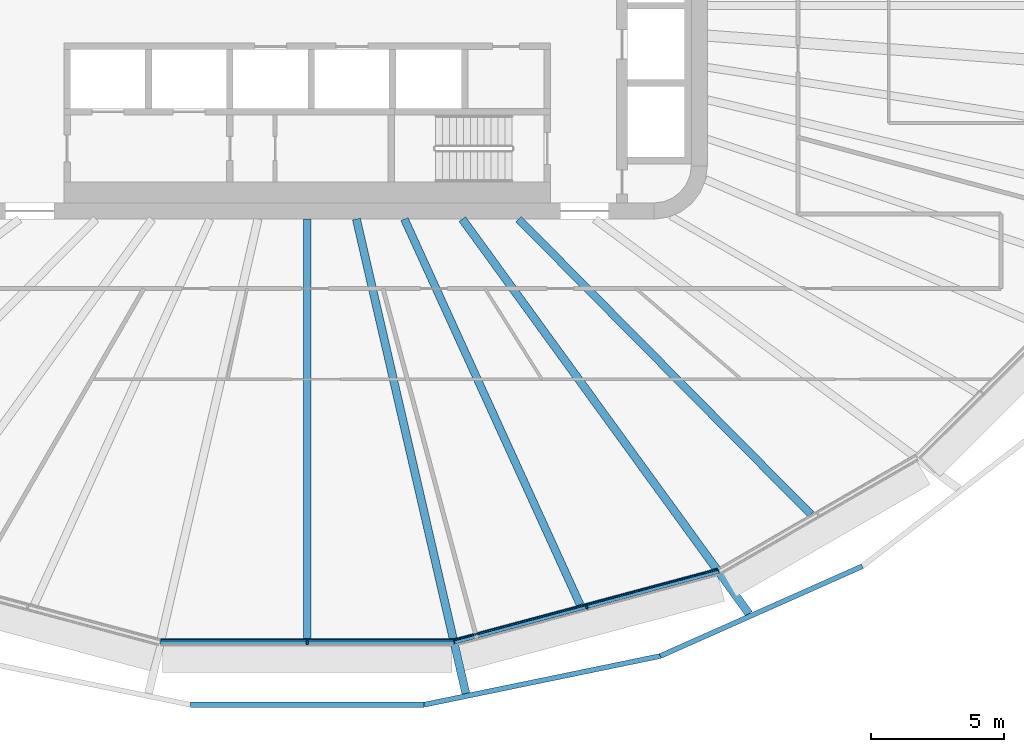
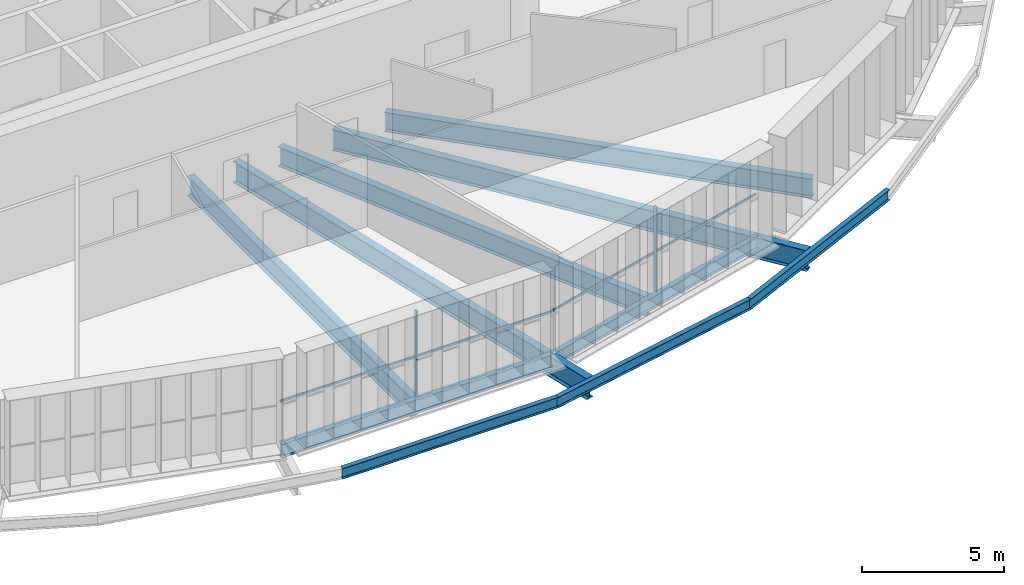
# One storey, part 4 of 25: 10 beams, 4 members, 2 elements without a shape of their own.
"""IFC4 building model written with IfcOpenShell, lengths in metres."""

from ifc_helpers import new_model, si_unit, direction, frame, origin, origin_2d, place, context, subcontext, project, spatial, rectangle, i_section, extrude, material, layer, layer_set, material_profile, profile_set, type_object, element, aggregate, save


model = new_model("IFC4")

# Units and contexts
model_context = context("Model", 3, precision=1e-05, world=origin(), true_north=direction((0.0, 1.0)))
body_context = subcontext(model_context, "Body", "Model", "MODEL_VIEW")
ifc_project = project(units=[si_unit("LENGTHUNIT", "METRE"), si_unit("AREAUNIT", "SQUARE_METRE"), si_unit("VOLUMEUNIT", "CUBIC_METRE"), si_unit("PLANEANGLEUNIT", "RADIAN"), si_unit("MASSUNIT", "GRAM", prefix="KILO")], contexts=[model_context])

# Site, building, storey
site_placement = place(None, origin())
site = spatial("IfcSite", under=ifc_project, at=site_placement, CompositionType="ELEMENT")
building_placement = place(site_placement, origin())
building = spatial("IfcBuilding", under=site, at=building_placement, Name="Sahrelin Media Tower", CompositionType="ELEMENT")
storey_placement = place(building_placement, frame((0.0, 0.0, 106.199951171875)))
storey = spatial("IfcBuildingStorey", under=building, at=storey_placement, Name="L20", CompositionType="ELEMENT", Elevation=106.199951171875)

# Beams
ifc_material_1 = material(Name="Steel S355", Category="steel")
ifc_material_profile_1 = material_profile(ifc_material_1, i_section(OverallWidth=0.208740234375, OverallDepth=0.5283203125, WebThickness=0.009521484375, FlangeThickness=0.01318359375, FilletRadius=0.0126953125, at=origin_2d()), Name="UB 533x210x82")
ifc_profile_set_1 = profile_set([ifc_material_profile_1], Name="Steel S355")
beam_type_1 = type_object("IfcBeamType", Name="Edge beam EB6", PredefinedType="BEAM", material=ifc_profile_set_1)
beam_1_placement = place(storey_placement, frame((15.41162109375, -21.17431640625, -0.4140625), z_axis=(-0.965929419345, -0.258805635261, 0.0), x_axis=(0.258805635261, -0.965929419345, 0.0)))
element("IfcBeam", 1, at=beam_1_placement, inside=storey, type_object=beam_type_1, Name="Edge beam L20-06", PredefinedType="BEAM", context=body_context, shape_type="SweptSolid", body=[
    extrude(i_section(OverallWidth=0.208740234375, OverallDepth=0.5283203125, WebThickness=0.009521484375, FlangeThickness=0.01318359375, FilletRadius=0.0126953125, at=origin_2d()), origin(), (0.0, 0.0, 1.0), 10.235107421875),
])
ifc_material_profile_2 = material_profile(ifc_material_1, i_section(OverallWidth=0.2275390625, OverallDepth=0.6025390625, WebThickness=0.010498046875, FlangeThickness=0.014892578125, FilletRadius=0.0126953125, at=origin_2d()), Name="UB 610x229x101")
ifc_profile_set_2 = profile_set([ifc_material_profile_2], Name="Steel S355")
beam_type_2 = type_object("IfcBeamType", Name="Edge beam EB7", PredefinedType="BEAM", material=ifc_profile_set_2)
beam_2_placement = place(storey_placement, frame((5.49658203125, -23.8271484375, -0.451171875), z_axis=(-1.0, 0.0, 0.0), x_axis=(0.0, -1.0, 0.0)))
element("IfcBeam", 2, at=beam_2_placement, inside=storey, type_object=beam_type_2, Name="Edge beam L20-07", PredefinedType="BEAM", context=body_context, shape_type="SweptSolid", body=[
    extrude(i_section(OverallWidth=0.2275390625, OverallDepth=0.6025390625, WebThickness=0.010498046875, FlangeThickness=0.014892578125, FilletRadius=0.0126953125, at=origin_2d()), origin(), (0.0, 0.0, 1.0), 10.9931640625),
])

# Curtain wall, member
ifc_material_2 = material(Name="Champagne anodised aluminium 6063-T6", Category="aluminium")
ifc_layer = layer(ifc_material_2, 0.14990234375)
ifc_layer_set = layer_set([ifc_layer], Name="Tower ribbon curtain wall")
curtain_wall_type = type_object("IfcCurtainWallType", Name="Tower ribbon curtain wall", PredefinedType="NOTDEFINED", material=ifc_layer_set)
curtain_wall_1_placement = place(storey_placement, frame((0.0, -23.97705078125, 0.0), z_axis=(0.0, 0.0, 1.0), x_axis=(1.0, 0.0, 0.0)))
curtain_wall_1 = element("IfcCurtainWall", 3, at=curtain_wall_1_placement, inside=storey, type_object=curtain_wall_type, Name="L20:CW:L20-18", PredefinedType="NOTDEFINED")
ifc_material_profile_3 = material_profile(ifc_material_2, rectangle(XDim=0.06005859375, YDim=0.14990234375, at=origin_2d()), Name="Mullion 60x150")
ifc_profile_set_3 = profile_set([ifc_material_profile_3], Name="Champagne anodised aluminium 6063-T6")
member_type_1 = type_object("IfcMemberType", Name="Mullion 60x150 CW1", PredefinedType="MULLION", material=ifc_profile_set_3)
member_1_placement = place(storey_placement, frame((0.0, -23.882080078125, 0.0), z_axis=(0.0, 0.0, 1.0), x_axis=(1.0, 0.0, 0.0)))
member_1 = element("IfcMember", 4, at=member_1_placement, type_object=member_type_1, Name="L20:CWM:L20-18", PredefinedType="MULLION", context=body_context, shape_type="SweptSolid", body=[
    extrude(rectangle(XDim=0.06005859375, YDim=0.14990234375, at=origin_2d()), origin(), (0.0, 0.0, 1.0), 3.648681640625),
])

curtain_wall_2_placement = place(storey_placement, frame((10.507080078125, -22.643798828125, 0.0), z_axis=(0.0, 0.0, 1.0), x_axis=(1.0, 0.0, 0.0)))
curtain_wall_2 = element("IfcCurtainWall", 5, at=curtain_wall_2_placement, inside=storey, type_object=curtain_wall_type, Name="L20:CW:L20-19", PredefinedType="NOTDEFINED")
member_2_placement = place(storey_placement, frame((10.482666015625, -22.552001953125, 0.0), z_axis=(0.0, 0.0, 1.0), x_axis=(0.965926278012, 0.258817359244, 0.0)))
member_2 = element("IfcMember", 6, at=member_2_placement, type_object=member_type_1, Name="L20:CWM:L20-19", PredefinedType="MULLION", context=body_context, shape_type="SweptSolid", body=[
    extrude(rectangle(XDim=0.06005859375, YDim=0.14990234375, at=origin_2d()), origin(), (0.0, 0.0, 1.0), 3.648681640625),
])

# Beams
ifc_material_profile_4 = material_profile(ifc_material_1, i_section(OverallWidth=0.30322265625, OverallDepth=0.903076171875, WebThickness=0.01513671875, FlangeThickness=0.020263671875, FilletRadius=0.01904296875, at=origin_2d()), Name="UB 914x305x201")
ifc_profile_set_4 = profile_set([ifc_material_profile_4], Name="Steel S355")
beam_type_3 = type_object("IfcBeamType", Name="Radial primary beam PB11", PredefinedType="BEAM", material=ifc_profile_set_4)
beam_3_placement = place(storey_placement, frame((1.845458984375, -8.0, -0.6015625), z_axis=(0.224770597267, -0.974411708984, 0.0), x_axis=(0.974411708984, 0.224770597267, 0.0)))
element("IfcBeam", 7, at=beam_3_placement, inside=storey, type_object=beam_type_3, Name="Radial beam L20-19", PredefinedType="BEAM", context=body_context, shape_type="SweptSolid", body=[
    extrude(i_section(OverallWidth=0.30322265625, OverallDepth=0.903076171875, WebThickness=0.01513671875, FlangeThickness=0.020263671875, FilletRadius=0.01904296875, at=origin_2d()), origin(), (0.0, 0.0, 1.0), 18.25),
])
beam_4_placement = place(storey_placement, frame((5.8125, -8.0, -0.6015625), z_axis=(0.587804906346, -0.809002714505, 0.0), x_axis=(0.809002714505, 0.587804906346, 0.0)))
element("IfcBeam", 8, at=beam_4_placement, inside=storey, type_object=beam_type_3, Name="Radial beam L20-20", PredefinedType="BEAM", context=body_context, shape_type="SweptSolid", body=[
    extrude(i_section(OverallWidth=0.30322265625, OverallDepth=0.903076171875, WebThickness=0.01513671875, FlangeThickness=0.020263671875, FilletRadius=0.01904296875, at=origin_2d()), origin(), (0.0, 0.0, 1.0), 18.28759765625),
])
ifc_material_profile_5 = material_profile(ifc_material_1, i_section(OverallWidth=0.291748046875, OverallDepth=0.8349609375, WebThickness=0.013916015625, FlangeThickness=0.018798828125, FilletRadius=0.017822265625, at=origin_2d()), Name="UB 838x292x176")
ifc_profile_set_5 = profile_set([ifc_material_profile_5], Name="Steel S355")
beam_type_4 = type_object("IfcBeamType", Name="Radial secondary beam SB10", PredefinedType="BEAM", material=ifc_profile_set_5)
beam_5_placement = place(storey_placement, frame((0.0, -8.0, -0.5673828125), z_axis=(0.0, -1.0, 0.0), x_axis=(1.0, 0.0, 0.0)))
element("IfcBeam", 9, at=beam_5_placement, inside=storey, type_object=beam_type_4, Name="Secondary beam L20-18", PredefinedType="BEAM", context=body_context, shape_type="SweptSolid", body=[
    extrude(i_section(OverallWidth=0.291748046875, OverallDepth=0.8349609375, WebThickness=0.013916015625, FlangeThickness=0.018798828125, FilletRadius=0.017822265625, at=origin_2d()), origin(), (0.0, 0.0, 1.0), 15.71337890625),
])
beam_6_placement = place(storey_placement, frame((3.64501953125, -8.0, -0.5673828125), z_axis=(0.414626132753, -0.909991851633, 0.0), x_axis=(0.909991851633, 0.414626132753, 0.0)))
element("IfcBeam", 10, at=beam_6_placement, inside=storey, type_object=beam_type_4, Name="Secondary beam L20-19", PredefinedType="BEAM", context=body_context, shape_type="SweptSolid", body=[
    extrude(i_section(OverallWidth=0.291748046875, OverallDepth=0.8349609375, WebThickness=0.013916015625, FlangeThickness=0.018798828125, FilletRadius=0.017822265625, at=origin_2d()), origin(), (0.0, 0.0, 1.0), 15.884033203125),
])
beam_7_placement = place(storey_placement, frame((7.92138671875, -8.0, -0.5673828125), z_axis=(0.703602310212, -0.7105939692, 0.0), x_axis=(0.7105939692, 0.703602310212, 0.0)))
element("IfcBeam", 11, at=beam_7_placement, inside=storey, type_object=beam_type_4, Name="Secondary beam L20-20", PredefinedType="BEAM", context=body_context, shape_type="SweptSolid", body=[
    extrude(i_section(OverallWidth=0.291748046875, OverallDepth=0.8349609375, WebThickness=0.013916015625, FlangeThickness=0.018798828125, FilletRadius=0.017822265625, at=origin_2d()), origin(), (0.0, 0.0, 1.0), 15.57373046875),
])
ifc_material_profile_6 = material_profile(ifc_material_1, i_section(OverallWidth=0.1904296875, OverallDepth=0.45703125, WebThickness=0.009033203125, FlangeThickness=0.014404296875, FilletRadius=0.01025390625, at=origin_2d()), Name="UB 457x191x74")
ifc_profile_set_6 = profile_set([ifc_material_profile_6], Name="Steel S355")
beam_type_5 = type_object("IfcBeamType", Name="Tie chord TC5", PredefinedType="BEAM", material=ifc_profile_set_6)
beam_8_placement = place(storey_placement, frame((-4.373779296875, -26.204833984375, -0.37841796875), z_axis=(1.0, 0.0, 0.0), x_axis=(0.0, 1.0, 0.0)))
element("IfcBeam", 12, at=beam_8_placement, inside=storey, type_object=beam_type_5, Name="Tie chord L20-18", PredefinedType="BEAM", context=body_context, shape_type="SweptSolid", body=[
    extrude(i_section(OverallWidth=0.1904296875, OverallDepth=0.45703125, WebThickness=0.009033203125, FlangeThickness=0.014404296875, FilletRadius=0.01025390625, at=origin_2d()), origin(), (0.0, 0.0, 1.0), 8.74755859375),
])
beam_9_placement = place(storey_placement, frame((4.373779296875, -26.204833984375, -0.37841796875), z_axis=(0.979386132025, 0.201997040565, 0.0), x_axis=(-0.201997040565, 0.979386132025, 0.0)))
element("IfcBeam", 13, at=beam_9_placement, inside=storey, type_object=beam_type_5, Name="Tie chord L20-19", PredefinedType="BEAM", context=body_context, shape_type="SweptSolid", body=[
    extrude(i_section(OverallWidth=0.1904296875, OverallDepth=0.45703125, WebThickness=0.009033203125, FlangeThickness=0.014404296875, FilletRadius=0.01025390625, at=origin_2d()), origin(), (0.0, 0.0, 1.0), 9.0478515625),
])
beam_10_placement = place(storey_placement, frame((13.235107421875, -24.377197265625, -0.37841796875), z_axis=(0.913829764708, 0.406097477378, 0.0), x_axis=(-0.406097477378, 0.913829764708, 0.0)))
element("IfcBeam", 14, at=beam_10_placement, inside=storey, type_object=beam_type_5, Name="Tie chord L20-20", PredefinedType="BEAM", context=body_context, shape_type="SweptSolid", body=[
    extrude(i_section(OverallWidth=0.1904296875, OverallDepth=0.45703125, WebThickness=0.009033203125, FlangeThickness=0.014404296875, FilletRadius=0.01025390625, at=origin_2d()), origin(), (0.0, 0.0, 1.0), 8.289794921875),
])

# Member
ifc_material_profile_7 = material_profile(ifc_material_2, rectangle(XDim=0.050048828125, YDim=0.10009765625, at=origin_2d()), Name="Transom 50x100")
ifc_profile_set_7 = profile_set([ifc_material_profile_7], Name="Champagne anodised aluminium 6063-T6")
member_type_2 = type_object("IfcMemberType", Name="Transom 50x100 CW1", PredefinedType="USERDEFINED", material=ifc_profile_set_7)
member_3_placement = place(storey_placement, frame((-5.48095703125, -23.781982421875, 1.60009765625), z_axis=(1.0, 0.0, 0.0), x_axis=(0.0, 1.0, 0.0)))
member_3 = element("IfcMember", 15, at=member_3_placement, type_object=member_type_2, Name="L20:CWT:L20-18", ObjectType="TRANSOM", PredefinedType="USERDEFINED", context=body_context, shape_type="SweptSolid", body=[
    extrude(rectangle(XDim=0.050048828125, YDim=0.10009765625, at=origin_2d()), origin(), (0.0, 0.0, 1.0), 10.9619140625),
])

aggregate(curtain_wall_1, [member_1, member_3])

member_4_placement = place(storey_placement, frame((5.52880859375, -23.77587890625, 1.60009765625), z_axis=(0.965926477685, 0.258816614048, 0.0), x_axis=(-0.258816614048, 0.965926477685, 0.0)))
member_4 = element("IfcMember", 16, at=member_4_placement, type_object=member_type_2, Name="L20:CWT:L20-19", ObjectType="TRANSOM", PredefinedType="USERDEFINED", context=body_context, shape_type="SweptSolid", body=[
    extrude(rectangle(XDim=0.050048828125, YDim=0.10009765625, at=origin_2d()), origin(), (0.0, 0.0, 1.0), 10.20361328125),
])

aggregate(curtain_wall_2, [member_2, member_4])

save(model, "model.ifc")
